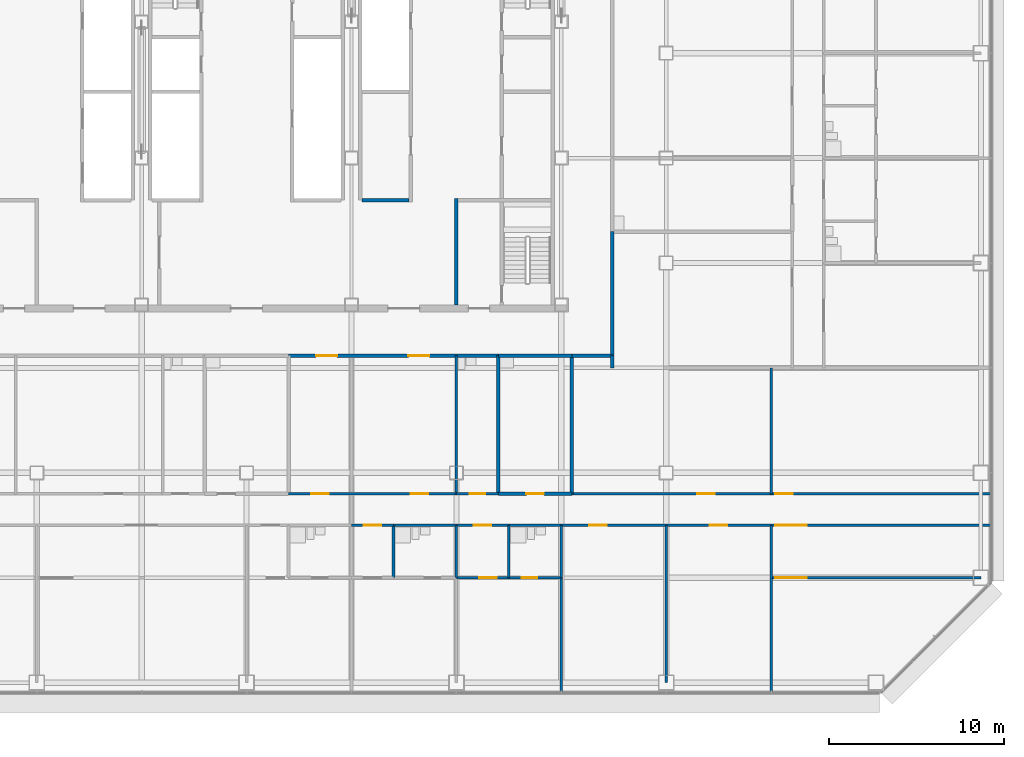
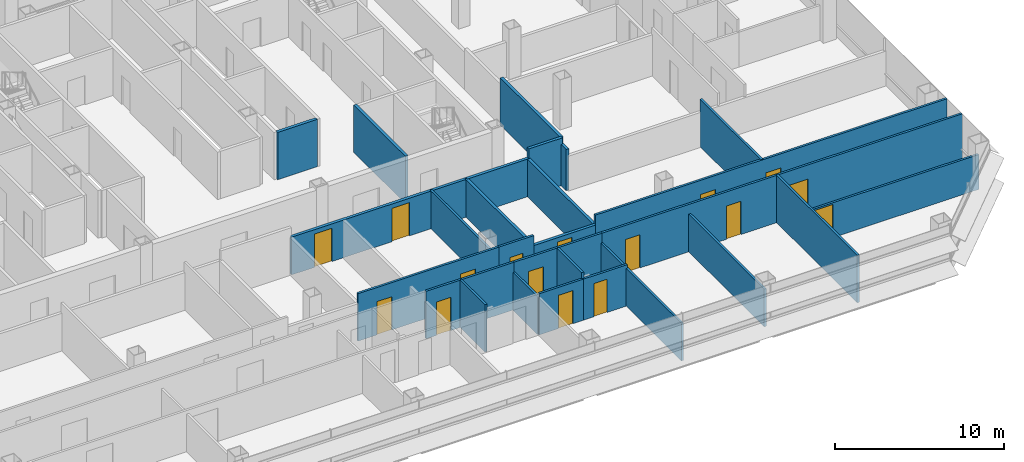
# One storey, part 21 of 26: 30 walls, 16 doors, 16 openings.
"""IFC4 building model written with IfcOpenShell, lengths in metres."""

import ifcopenshell
import ifcopenshell.guid

model = None  # the IFC model being written
_history = None  # IfcOwnerHistory: only IFC2X3 demands one
_inside = {}  # id of a spatial element -> (the spatial element, [elements in it])
_under = {}  # id of a project, library or spatial element -> (it, [spatial elements below it])
_declared = {}  # id of a project -> (the project, [libraries it declares])
_typed = {}  # id of a type object -> (the type object, [elements of that type])
_made_of = {}  # id of a material, layer set ... -> (it, [elements and type objects made of it])


def new_model(schema):
    """Start an empty IFC model of exactly this schema.

    Asked for "IFC4X3", IfcOpenShell would pick the latest addendum, in which some entities
    have other attributes; the version numbers below select the first issue.
    IFC2X3 requires an IfcOwnerHistory on every rooted entity: one is made here for all.
    """
    global model, _history
    if schema == "IFC4X3":
        model = ifcopenshell.file(schema_version=(4, 3, 0, 0))
    else:
        model = ifcopenshell.file(schema=schema)
    _inside.clear()
    _under.clear()
    _declared.clear()
    _typed.clear()
    _made_of.clear()
    _history = None
    if model.schema == "IFC2X3":
        org = make("IfcOrganization", Name="unknown")
        user = make(
            "IfcPersonAndOrganization",
            ThePerson=make("IfcPerson", FamilyName="unknown"),
            TheOrganization=org,
        )
        app = make(
            "IfcApplication",
            ApplicationDeveloper=org,
            Version="unknown",
            ApplicationFullName="unknown",
            ApplicationIdentifier="unknown",
        )
        _history = make(
            "IfcOwnerHistory",
            OwningUser=user,
            OwningApplication=app,
            ChangeAction="ADDED",
            CreationDate=0,
        )
    return model


def make(cls, **values):
    """One entity of the class cls with the attributes given. An attribute that is None is left unset."""
    return model.create_entity(
        cls, **{name: value for name, value in values.items() if value is not None}
    )


def rooted(cls, **values):
    """An entity with a GlobalId (a new one), such as an element, a storey or a relation."""
    return make(cls, GlobalId=ifcopenshell.guid.new(), OwnerHistory=_history, **values)


def si_unit(unit_type, name, prefix=None):
    """IfcSIUnit, for example si_unit("LENGTHUNIT", "METRE", prefix="MILLI")."""
    return make("IfcSIUnit", UnitType=unit_type, Prefix=prefix, Name=name)


def assignment(units):
    """IfcUnitAssignment: the units of a project."""
    return None if units is None else make("IfcUnitAssignment", Units=units)


def point(xyz):
    """IfcCartesianPoint."""
    return None if xyz is None else make("IfcCartesianPoint", Coordinates=xyz)


def direction(xyz):
    """IfcDirection."""
    return None if xyz is None else make("IfcDirection", DirectionRatios=xyz)


def frame(location, z_axis=None, x_axis=None):
    """IfcAxis2Placement3D, a coordinate frame: its origin and axes. An axis left out is left unset."""
    return make(
        "IfcAxis2Placement3D",
        Location=point(location),
        Axis=direction(z_axis),
        RefDirection=direction(x_axis),
    )


def frame_2d(location, x_axis=None):
    """IfcAxis2Placement2D, a coordinate frame in the plane: its origin and x axis."""
    return make(
        "IfcAxis2Placement2D", Location=point(location), RefDirection=direction(x_axis)
    )


def origin():
    """The frame at (0, 0, 0) with its axes left unset."""
    return frame((0.0, 0.0, 0.0))


def place(relative_to, where):
    """IfcLocalPlacement: puts the frame where relative to a parent placement (None: the world)."""
    return make(
        "IfcLocalPlacement", PlacementRelTo=relative_to, RelativePlacement=where
    )


def context(
    kind, dimensions, precision=None, world=None, true_north=None, identifier=None
):
    """IfcGeometricRepresentationContext, for example the 3D "Model" context."""
    return make(
        "IfcGeometricRepresentationContext",
        ContextIdentifier=identifier,
        ContextType=kind,
        CoordinateSpaceDimension=dimensions,
        Precision=precision,
        WorldCoordinateSystem=world,
        TrueNorth=true_north,
    )


def subcontext(parent, identifier, kind, view, scale=None):
    """IfcGeometricRepresentationSubContext, for example "Body" below "Model"."""
    return make(
        "IfcGeometricRepresentationSubContext",
        ContextIdentifier=identifier,
        ContextType=kind,
        ParentContext=parent,
        TargetScale=scale,
        TargetView=view,
    )


def project(units=None, contexts=None):
    """IfcProject with its units and contexts."""
    return rooted(
        "IfcProject",
        Name="project",
        RepresentationContexts=contexts,
        UnitsInContext=assignment(units),
    )


def spatial(cls, under=None, at=None, **own):
    """A site, building, storey or space (cls), placed at a placement, below another one or the project."""
    s = rooted(cls, ObjectPlacement=at, **own)
    if under is not None:
        _under.setdefault(under.id(), (under, []))[1].append(s)
    return s


def profile(cls, at=None, kind="AREA", **sizes):
    """A parametric profile (cls). Its sizes go by their IFC names, for example OverallWidth=200.0."""
    return make(cls, ProfileType=kind, Position=at, **sizes)


def rectangle(**sizes):
    """IfcRectangleProfileDef."""
    return profile("IfcRectangleProfileDef", **sizes)


def extrude(swept, where, along, depth):
    """IfcExtrudedAreaSolid: the profile swept, set in the frame where, extruded along a direction by depth."""
    return make(
        "IfcExtrudedAreaSolid",
        SweptArea=swept,
        Position=where,
        ExtrudedDirection=direction(along),
        Depth=depth,
    )


def shape(context_of_items, identifier, shape_type, items):
    """IfcShapeRepresentation: the items that make up one representation, for example the "Body"."""
    return make(
        "IfcShapeRepresentation",
        ContextOfItems=context_of_items,
        RepresentationIdentifier=identifier,
        RepresentationType=shape_type,
        Items=items,
    )


def material(Name=None, Category=None):
    """IfcMaterial."""
    return make("IfcMaterial", Name=Name, Category=Category)


def layer(
    of_material, thickness, ventilated=None, Name=None, Category=None, Priority=None
):
    """IfcMaterialLayer: one layer of a wall or slab, of a material (None: an air gap)."""
    return make(
        "IfcMaterialLayer",
        Material=of_material,
        LayerThickness=thickness,
        IsVentilated=ventilated,
        Name=Name,
        Category=Category,
        Priority=Priority,
    )


def layer_set(layers, Name=None):
    """IfcMaterialLayerSet."""
    return make("IfcMaterialLayerSet", MaterialLayers=layers, LayerSetName=Name)


def made_of(thing, what):
    """Note that an element or type object is made of a material, layer set ...; save() writes the relation."""
    if what is not None:
        _made_of.setdefault(what.id(), (what, []))[1].append(thing)
    return thing


def type_object(cls, material=None, **own):
    """A type object (cls), such as IfcWallType, which elements share."""
    return made_of(rooted(cls, **own), material)


def element(
    cls,
    number,
    at=None,
    inside=None,
    cuts=None,
    type_object=None,
    material=None,
    context=None,
    identifier="Body",
    shape_type=None,
    held_by="IfcProductDefinitionShape",
    body=None,
    shapes=None,
    **own,
):
    """One element of the class cls, such as IfcWall. Its Tag is "e" and its number.

    at: its placement. inside: the storey or other place that contains it. cuts: it is an
    opening in that element (IfcRelVoidsElement). A single representation is given by context,
    identifier, shape_type and body (its items); several are given by shapes. held_by: the class
    of the entity that holds the representations. save() writes the other relations.
    """
    e = rooted(cls, Tag="e%d" % number, ObjectPlacement=at, **own)
    if body is not None:
        shapes = [shape(context, identifier, shape_type, body)]
    if shapes is not None:
        e.Representation = make(held_by, Representations=shapes)
    if inside is not None:
        _inside.setdefault(inside.id(), (inside, []))[1].append(e)
    if cuts is not None:
        rooted(
            "IfcRelVoidsElement", RelatingBuildingElement=cuts, RelatedOpeningElement=e
        )
    if type_object is not None:
        _typed.setdefault(type_object.id(), (type_object, []))[1].append(e)
    return made_of(e, material)


def fill(opening, filler):
    """IfcRelFillsElement: the door or window that sits in an opening."""
    return rooted(
        "IfcRelFillsElement",
        RelatingOpeningElement=opening,
        RelatedBuildingElement=filler,
    )


def aggregate(whole, parts):
    """IfcRelAggregates: a whole, such as a stair, and the parts it consists of."""
    return rooted("IfcRelAggregates", RelatingObject=whole, RelatedObjects=parts)


def save(model, path):
    """Write the relations noted so far, then the file.

    IfcRelAggregates (storeys below a building ...), IfcRelContainedInSpatialStructure (elements
    in a storey), IfcRelDefinesByType, IfcRelAssociatesMaterial and IfcRelDeclares: one each for
    every whole, place, type object, material and project.
    """
    for whole, parts in _under.values():
        aggregate(whole, parts)
    for where, things in _inside.values():
        rooted(
            "IfcRelContainedInSpatialStructure",
            RelatedElements=things,
            RelatingStructure=where,
        )
    for kind, things in _typed.values():
        rooted("IfcRelDefinesByType", RelatedObjects=things, RelatingType=kind)
    for what, things in _made_of.values():
        rooted("IfcRelAssociatesMaterial", RelatedObjects=things, RelatingMaterial=what)
    for by, libraries in _declared.values():
        rooted("IfcRelDeclares", RelatingContext=by, RelatedDefinitions=libraries)
    model.write(path)


model = new_model("IFC4")

# Units and contexts
model_context = context("Model", 3, precision=1e-05, world=origin(), true_north=direction((0.0, 1.0)))
body_context = subcontext(model_context, "Body", "Model", "MODEL_VIEW")
ifc_project = project(units=[si_unit("LENGTHUNIT", "METRE"), si_unit("AREAUNIT", "SQUARE_METRE"), si_unit("VOLUMEUNIT", "CUBIC_METRE"), si_unit("PLANEANGLEUNIT", "RADIAN"), si_unit("MASSUNIT", "GRAM", prefix="KILO")], contexts=[model_context])

# Site, building, storey
site_placement = place(None, origin())
site = spatial("IfcSite", under=ifc_project, at=site_placement, CompositionType="ELEMENT")
building_placement = place(site_placement, origin())
building = spatial("IfcBuilding", under=site, at=building_placement, Name="Sorahane Residences", CompositionType="ELEMENT")
storey_placement = place(building_placement, frame((0.0, 0.0, 67.800048828125)))
storey = spatial("IfcBuildingStorey", under=building, at=storey_placement, Name="L13", CompositionType="ELEMENT", Elevation=67.800048828125)

# Wall
ifc_material_1 = material(Name="Concrete blockwork C20 wall", Category="masonry")
ifc_layer_1 = layer(ifc_material_1, 0.199951171875)
ifc_layer_set_1 = layer_set([ifc_layer_1], Name="Corridor wall 200 EI 120")
wall_type_1 = type_object("IfcWallType", Name="Corridor wall 200 EI 120", PredefinedType="SOLIDWALL", material=ifc_layer_set_1)
wall_1_placement = place(storey_placement, frame((44.89990234375, 18.699951171875, 0.0), z_axis=(0.0, 0.0, 1.0), x_axis=(0.0, 1.0, 0.0)))
element("IfcWall", 1, at=wall_1_placement, inside=storey, type_object=wall_type_1, Name="L13 corridor wall", PredefinedType="SOLIDWALL", context=body_context, shape_type="SweptSolid", body=[
    extrude(rectangle(XDim=7.10009765625, YDim=0.199951171875, at=frame_2d((3.550048828125, 0.0))), origin(), (0.0, 0.0, 1.0), 3.419921875),
])

# Wall, openings, doors
wall_2_placement = place(storey_placement, frame((26.39990234375, 18.699951171875, 0.0), z_axis=(0.0, 0.0, 1.0), x_axis=(1.0, 0.0, 0.0)))
wall_2 = element("IfcWall", 2, at=wall_2_placement, inside=storey, type_object=wall_type_1, Name="L13 corridor wall", PredefinedType="SOLIDWALL", context=body_context, shape_type="SweptSolid", body=[
    extrude(rectangle(XDim=12.0, YDim=0.199951171875, at=frame_2d((6.0, 0.0))), origin(), (0.0, 0.0, 1.0), 2.719970703125),
])
opening_1_placement = place(wall_2_placement, frame((1.580078125, 0.0, 0.0)))
opening_1 = element("IfcOpeningElement", 3, at=opening_1_placement, cuts=wall_2, Name="Opening L13-42", PredefinedType="OPENING", context=body_context, shape_type="SweptSolid", body=[
    extrude(rectangle(XDim=1.199951171875, YDim=2.39990234375, at=frame_2d((0.60009765625, 1.199951171875))), frame((0.0, 0.10986328125, 0.0), z_axis=(0.0, -1.0, 0.0), x_axis=(1.0, 0.0, 0.0)), (0.0, 0.0, 1.0), 0.219970703125),
])
opening_2_placement = place(wall_2_placement, frame((6.860107421875, 0.0, 0.0)))
opening_2 = element("IfcOpeningElement", 4, at=opening_2_placement, cuts=wall_2, Name="Opening L13-43", PredefinedType="OPENING", context=body_context, shape_type="SweptSolid", body=[
    extrude(rectangle(XDim=1.199951171875, YDim=2.39990234375, at=frame_2d((0.60009765625, 1.199951171875))), frame((0.0, 0.10986328125, 0.0), z_axis=(0.0, -1.0, 0.0), x_axis=(1.0, 0.0, 0.0)), (0.0, 0.0, 1.0), 0.219970703125),
])
ifc_material_2 = material(Name="Timber veneered fire door", Category="wood")
door_type_1 = type_object("IfcDoorType", Name="Flat entrance door 1200x2400 FD60", OperationType="NOTDEFINED", PredefinedType="DOOR", material=ifc_material_2)
door_1_placement = place(opening_1_placement, frame((1.199951171875, 0.0, 0.0), z_axis=(0.0, 0.0, 1.0), x_axis=(-1.0, 0.0, 0.0)))
door_1 = element("IfcDoor", 5, at=door_1_placement, inside=storey, type_object=door_type_1, Name="Flat entrance door L13-42", OperationType="SINGLE_SWING_LEFT", OverallHeight=2.39990234375, OverallWidth=1.199951171875, PredefinedType="DOOR", context=body_context, shape_type="SweptSolid", body=[
    extrude(rectangle(XDim=1.199951171875, YDim=2.39990234375, at=frame_2d((0.60009765625, 1.199951171875))), frame((0.0, 0.02490234375, 0.0), z_axis=(0.0, -1.0, 0.0), x_axis=(1.0, 0.0, 0.0)), (0.0, 0.0, 1.0), 0.050048828125),
])
fill(opening_1, door_1)
door_2_placement = place(opening_2_placement, frame((1.199951171875, 0.0, 0.0), z_axis=(0.0, 0.0, 1.0), x_axis=(-1.0, 0.0, 0.0)))
door_2 = element("IfcDoor", 6, at=door_2_placement, inside=storey, type_object=door_type_1, Name="Flat entrance door L13-43", OperationType="SINGLE_SWING_RIGHT", OverallHeight=2.39990234375, OverallWidth=1.199951171875, PredefinedType="DOOR", context=body_context, shape_type="SweptSolid", body=[
    extrude(rectangle(XDim=1.199951171875, YDim=2.39990234375, at=frame_2d((0.60009765625, 1.199951171875))), frame((0.0, 0.02490234375, 0.0), z_axis=(0.0, -1.0, 0.0), x_axis=(1.0, 0.0, 0.0)), (0.0, 0.0, 1.0), 0.050048828125),
])
fill(opening_2, door_2)

# Walls
wall_3_placement = place(storey_placement, frame((42.60009765625, 18.699951171875, 0.0), z_axis=(0.0, 0.0, 1.0), x_axis=(1.0, 0.0, 0.0)))
element("IfcWall", 7, at=wall_3_placement, inside=storey, type_object=wall_type_1, Name="L13 corridor wall", PredefinedType="SOLIDWALL", context=body_context, shape_type="SweptSolid", body=[
    extrude(rectangle(XDim=2.2998046875, YDim=0.199951171875, at=frame_2d((1.14990234375, 0.0))), origin(), (0.0, 0.0, 1.0), 3.419921875),
])
ifc_material_3 = material(Name="Concrete C30", Category="concrete")
ifc_layer_2 = layer(ifc_material_3, 0.199951171875)
ifc_layer_set_2 = layer_set([ifc_layer_2], Name="Front room wall 200 EI 120")
wall_type_2 = type_object("IfcWallType", Name="Front room wall 200 EI 120", PredefinedType="PARTITIONING", material=ifc_layer_set_2)
wall_4_placement = place(storey_placement, frame((36.0, 21.60009765625, 0.0), z_axis=(0.0, 0.0, 1.0), x_axis=(0.0, 1.0, 0.0)))
element("IfcWall", 8, at=wall_4_placement, inside=storey, type_object=wall_type_2, Name="L13 front room wall", PredefinedType="PARTITIONING", context=body_context, shape_type="SweptSolid", body=[
    extrude(rectangle(XDim=6.099853515625, YDim=0.199951171875, at=frame_2d((3.0498046875, 0.0))), origin(), (0.0, 0.0, 1.0), 3.419921875),
])
ifc_material_4 = material(Name="Concrete blockwork C20 wall", Category="masonry")
ifc_layer_3 = layer(ifc_material_4, 0.199951171875)
ifc_layer_set_3 = layer_set([ifc_layer_3], Name="Kitchen wall 200 EI 180")
wall_type_3 = type_object("IfcWallType", Name="Kitchen wall 200 EI 180", PredefinedType="SOLIDWALL", material=ifc_layer_set_3)
for number, where, z_axis, x_axis, name in (
    (9, (38.39990234375, 10.800048828125, 0.0), (0.0, 0.0, 1.0), (0.0, 1.0, 0.0), "L13 kitchen wall"),
    (10, (42.60009765625, 10.800048828125, 0.0), (0.0, 0.0, 1.0), (0.0, 1.0, 0.0), "L13 kitchen wall"),
):
    element("IfcWall", number, at=place(storey_placement, frame(where, z_axis=z_axis, x_axis=x_axis)), inside=storey, type_object=wall_type_3, Name=name, PredefinedType="SOLIDWALL", context=body_context, shape_type="SweptSolid", body=[
        extrude(rectangle(XDim=7.89990234375, YDim=0.199951171875, at=frame_2d((3.949951171875, 0.0))), origin(), (0.0, 0.0, 1.0), 2.719970703125),
    ])

# Wall, opening, door
wall_5_placement = place(storey_placement, frame((38.39990234375, 10.800048828125, 0.0), z_axis=(0.0, 0.0, 1.0), x_axis=(1.0, 0.0, 0.0)))
wall_5 = element("IfcWall", 11, at=wall_5_placement, inside=storey, type_object=wall_type_3, Name="L13 kitchen wall", PredefinedType="SOLIDWALL", context=body_context, shape_type="SweptSolid", body=[
    extrude(rectangle(XDim=4.2001953125, YDim=0.199951171875, at=frame_2d((2.10009765625, 0.0))), origin(), (0.0, 0.0, 1.0), 2.719970703125),
])
opening_3_placement = place(wall_5_placement, frame((1.60009765625, 0.0, 0.0)))
opening_3 = element("IfcOpeningElement", 12, at=opening_3_placement, cuts=wall_5, Name="Opening L13-15", PredefinedType="OPENING", context=body_context, shape_type="SweptSolid", body=[
    extrude(rectangle(XDim=1.0, YDim=2.39990234375, at=frame_2d((0.5, 1.199951171875))), frame((0.0, 0.10986328125, 0.0), z_axis=(0.0, -1.0, 0.0), x_axis=(1.0, 0.0, 0.0)), (0.0, 0.0, 1.0), 0.219970703125),
])
ifc_material_5 = material(Name="Steel", Category="steel")
door_type_2 = type_object("IfcDoorType", Name="Kitchen door 1000x2400 FD120", OperationType="NOTDEFINED", PredefinedType="DOOR", material=ifc_material_5)
door_3_placement = place(opening_3_placement, origin())
door_3 = element("IfcDoor", 13, at=door_3_placement, inside=storey, type_object=door_type_2, Name="Kitchen door L13-15", OperationType="SINGLE_SWING_RIGHT", OverallHeight=2.39990234375, OverallWidth=1.0, PredefinedType="DOOR", context=body_context, shape_type="SweptSolid", body=[
    extrude(rectangle(XDim=1.0, YDim=2.39990234375, at=frame_2d((0.5, 1.199951171875))), frame((0.0, 0.02490234375, 0.0), z_axis=(0.0, -1.0, 0.0), x_axis=(1.0, 0.0, 0.0)), (0.0, 0.0, 1.0), 0.050048828125),
])
fill(opening_3, door_3)

# Walls
wall_6_placement = place(storey_placement, frame((38.39990234375, 18.699951171875, 0.0), z_axis=(0.0, 0.0, 1.0), x_axis=(1.0, 0.0, 0.0)))
element("IfcWall", 14, at=wall_6_placement, inside=storey, type_object=wall_type_3, Name="L13 kitchen wall", PredefinedType="SOLIDWALL", context=body_context, shape_type="SweptSolid", body=[
    extrude(rectangle(XDim=4.2001953125, YDim=0.199951171875, at=frame_2d((2.10009765625, 0.0))), origin(), (0.0, 0.0, 1.0), 2.719970703125),
])
ifc_material_6 = material(Name="Gypsum board partition on steel studs", Category="steel")
ifc_layer_4 = layer(ifc_material_6, 0.14990234375)
ifc_layer_set_4 = layer_set([ifc_layer_4], Name="Partition 150 EI 90")
wall_type_4 = type_object("IfcWallType", Name="Partition 150 EI 90", PredefinedType="PARTITIONING", material=ifc_layer_set_4)
wall_7_placement = place(storey_placement, frame((42.0, -0.60009765625, 0.0), z_axis=(0.0, 0.0, 1.0), x_axis=(0.0, 1.0, 0.0)))
element("IfcWall", 15, at=wall_7_placement, inside=storey, type_object=wall_type_4, Name="L13 partition", PredefinedType="PARTITIONING", context=body_context, shape_type="SweptSolid", body=[
    extrude(rectangle(XDim=6.60009765625, YDim=0.14990234375, at=frame_2d((3.300048828125, 0.0))), origin(), (0.0, 0.0, 1.0), 2.719970703125),
])
wall_8_placement = place(storey_placement, frame((48.0, 0.0, 0.0), z_axis=(0.0, 0.0, 1.0), x_axis=(0.0, 1.0, 0.0)))
element("IfcWall", 16, at=wall_8_placement, inside=storey, type_object=wall_type_4, Name="L13 partition", PredefinedType="PARTITIONING", context=body_context, shape_type="SweptSolid", body=[
    extrude(rectangle(XDim=9.0, YDim=0.14990234375, at=frame_2d((4.5, 0.0))), origin(), (0.0, 0.0, 1.0), 2.719970703125),
])
wall_9_placement = place(storey_placement, frame((54.0, -0.60009765625, 0.0), z_axis=(0.0, 0.0, 1.0), x_axis=(0.0, 1.0, 0.0)))
element("IfcWall", 17, at=wall_9_placement, inside=storey, type_object=wall_type_4, Name="L13 partition", PredefinedType="PARTITIONING", context=body_context, shape_type="SweptSolid", body=[
    extrude(rectangle(XDim=9.60009765625, YDim=0.14990234375, at=frame_2d((4.800048828125, 0.0))), origin(), (0.0, 0.0, 1.0), 3.419921875),
])
wall_10_placement = place(storey_placement, frame((54.0, 10.800048828125, 0.0), z_axis=(0.0, 0.0, 1.0), x_axis=(0.0, 1.0, 0.0)))
element("IfcWall", 18, at=wall_10_placement, inside=storey, type_object=wall_type_4, Name="L13 partition", PredefinedType="PARTITIONING", context=body_context, shape_type="SweptSolid", body=[
    extrude(rectangle(XDim=7.199951171875, YDim=0.14990234375, at=frame_2d((3.60009765625, 0.0))), origin(), (0.0, 0.0, 1.0), 3.419921875),
])

# Wall, openings, doors
wall_11_placement = place(storey_placement, frame((26.39990234375, 10.800048828125, 0.0), z_axis=(0.0, 0.0, 1.0), x_axis=(1.0, 0.0, 0.0)))
wall_11 = element("IfcWall", 19, at=wall_11_placement, inside=storey, type_object=wall_type_4, Name="L13 partition", PredefinedType="PARTITIONING", context=body_context, shape_type="SweptSolid", body=[
    extrude(rectangle(XDim=9.60009765625, YDim=0.14990234375, at=frame_2d((4.800048828125, 0.0))), origin(), (0.0, 0.0, 1.0), 3.419921875),
])
opening_4_placement = place(wall_11_placement, frame((1.300048828125, 0.0, 0.0)))
opening_4 = element("IfcOpeningElement", 20, at=opening_4_placement, cuts=wall_11, Name="Opening L13-01", PredefinedType="OPENING", context=body_context, shape_type="SweptSolid", body=[
    extrude(rectangle(XDim=1.0, YDim=2.39990234375, at=frame_2d((0.5, 1.199951171875))), frame((0.0, 0.0849609375, 0.0), z_axis=(0.0, -1.0, 0.0), x_axis=(1.0, 0.0, 0.0)), (0.0, 0.0, 1.0), 0.169921875),
])
opening_5_placement = place(wall_11_placement, frame((7.0, 0.0, 0.0)))
opening_5 = element("IfcOpeningElement", 21, at=opening_5_placement, cuts=wall_11, Name="Opening L13-13", PredefinedType="OPENING", context=body_context, shape_type="SweptSolid", body=[
    extrude(rectangle(XDim=1.0, YDim=2.39990234375, at=frame_2d((0.5, 1.199951171875))), frame((0.0, 0.0849609375, 0.0), z_axis=(0.0, -1.0, 0.0), x_axis=(1.0, 0.0, 0.0)), (0.0, 0.0, 1.0), 0.169921875),
])
ifc_material_7 = material(Name="Timber veneered fire door", Category="wood")
door_type_3 = type_object("IfcDoorType", Name="Room door 1000x2400 FD30", OperationType="NOTDEFINED", PredefinedType="DOOR", material=ifc_material_7)
door_4_placement = place(opening_4_placement, frame((1.0, 0.0, 0.0), z_axis=(0.0, 0.0, 1.0), x_axis=(-1.0, 0.0, 0.0)))
door_4 = element("IfcDoor", 22, at=door_4_placement, inside=storey, type_object=door_type_3, Name="Room door L13-01", OperationType="SINGLE_SWING_RIGHT", OverallHeight=2.39990234375, OverallWidth=1.0, PredefinedType="DOOR", context=body_context, shape_type="SweptSolid", body=[
    extrude(rectangle(XDim=1.0, YDim=2.39990234375, at=frame_2d((0.5, 1.199951171875))), frame((0.0, 0.02490234375, 0.0), z_axis=(0.0, -1.0, 0.0), x_axis=(1.0, 0.0, 0.0)), (0.0, 0.0, 1.0), 0.050048828125),
])
fill(opening_4, door_4)
door_5_placement = place(opening_5_placement, frame((1.0, 0.0, 0.0), z_axis=(0.0, 0.0, 1.0), x_axis=(-1.0, 0.0, 0.0)))
door_5 = element("IfcDoor", 23, at=door_5_placement, inside=storey, type_object=door_type_3, Name="Room door L13-13", OperationType="SINGLE_SWING_RIGHT", OverallHeight=2.39990234375, OverallWidth=1.0, PredefinedType="DOOR", context=body_context, shape_type="SweptSolid", body=[
    extrude(rectangle(XDim=1.0, YDim=2.39990234375, at=frame_2d((0.5, 1.199951171875))), frame((0.0, 0.02490234375, 0.0), z_axis=(0.0, -1.0, 0.0), x_axis=(1.0, 0.0, 0.0)), (0.0, 0.0, 1.0), 0.050048828125),
])
fill(opening_5, door_5)

wall_12_placement = place(storey_placement, frame((42.60009765625, 10.800048828125, 0.0), z_axis=(0.0, 0.0, 1.0), x_axis=(1.0, 0.0, 0.0)))
wall_12 = element("IfcWall", 24, at=wall_12_placement, inside=storey, type_object=wall_type_4, Name="L13 partition", PredefinedType="PARTITIONING", context=body_context, shape_type="SweptSolid", body=[
    extrude(rectangle(XDim=24.0, YDim=0.14990234375, at=frame_2d((12.0, 0.0))), origin(), (0.0, 0.0, 1.0), 3.419921875),
])
opening_6_placement = place(wall_12_placement, frame((7.179931640625, 0.0, 0.0)))
opening_6 = element("IfcOpeningElement", 25, at=opening_6_placement, cuts=wall_12, Name="Opening L13-16", PredefinedType="OPENING", context=body_context, shape_type="SweptSolid", body=[
    extrude(rectangle(XDim=1.0, YDim=2.39990234375, at=frame_2d((0.5, 1.199951171875))), frame((0.0, 0.0849609375, 0.0), z_axis=(0.0, -1.0, 0.0), x_axis=(1.0, 0.0, 0.0)), (0.0, 0.0, 1.0), 0.169921875),
])
opening_7_placement = place(wall_12_placement, frame((11.64990234375, 0.0, 0.0)))
opening_7 = element("IfcOpeningElement", 26, at=opening_7_placement, cuts=wall_12, Name="Opening L13-17", PredefinedType="OPENING", context=body_context, shape_type="SweptSolid", body=[
    extrude(rectangle(XDim=1.0, YDim=2.39990234375, at=frame_2d((0.5, 1.199951171875))), frame((0.0, 0.0849609375, 0.0), z_axis=(0.0, -1.0, 0.0), x_axis=(1.0, 0.0, 0.0)), (0.0, 0.0, 1.0), 0.169921875),
])
door_6_placement = place(opening_6_placement, origin())
door_6 = element("IfcDoor", 27, at=door_6_placement, inside=storey, type_object=door_type_3, Name="Room door L13-16", OperationType="SINGLE_SWING_LEFT", OverallHeight=2.39990234375, OverallWidth=1.0, PredefinedType="DOOR", context=body_context, shape_type="SweptSolid", body=[
    extrude(rectangle(XDim=1.0, YDim=2.39990234375, at=frame_2d((0.5, 1.199951171875))), frame((0.0, 0.02490234375, 0.0), z_axis=(0.0, -1.0, 0.0), x_axis=(1.0, 0.0, 0.0)), (0.0, 0.0, 1.0), 0.050048828125),
])
fill(opening_6, door_6)
door_7_placement = place(opening_7_placement, origin())
door_7 = element("IfcDoor", 28, at=door_7_placement, inside=storey, type_object=door_type_3, Name="Room door L13-17", OperationType="SINGLE_SWING_LEFT", OverallHeight=2.39990234375, OverallWidth=1.0, PredefinedType="DOOR", context=body_context, shape_type="SweptSolid", body=[
    extrude(rectangle(XDim=1.0, YDim=2.39990234375, at=frame_2d((0.5, 1.199951171875))), frame((0.0, 0.02490234375, 0.0), z_axis=(0.0, -1.0, 0.0), x_axis=(1.0, 0.0, 0.0)), (0.0, 0.0, 1.0), 0.050048828125),
])
fill(opening_7, door_7)

# Wall, opening, door
wall_13_placement = place(storey_placement, frame((36.0, 6.0, 0.0), z_axis=(0.0, 0.0, 1.0), x_axis=(1.0, 0.0, 0.0)))
wall_13 = element("IfcWall", 29, at=wall_13_placement, inside=storey, type_object=wall_type_4, Name="L13 partition", PredefinedType="PARTITIONING", context=body_context, shape_type="SweptSolid", body=[
    extrude(rectangle(XDim=3.0, YDim=0.14990234375, at=frame_2d((1.5, 0.0))), origin(), (0.0, 0.0, 1.0), 2.969970703125),
])
opening_8_placement = place(wall_13_placement, frame((1.300048828125, 0.0, 0.0)))
opening_8 = element("IfcOpeningElement", 30, at=opening_8_placement, cuts=wall_13, Name="Opening L13-25", PredefinedType="OPENING", context=body_context, shape_type="SweptSolid", body=[
    extrude(rectangle(XDim=1.0, YDim=2.39990234375, at=frame_2d((0.5, 1.199951171875))), frame((0.0, 0.0849609375, 0.0), z_axis=(0.0, -1.0, 0.0), x_axis=(1.0, 0.0, 0.0)), (0.0, 0.0, 1.0), 0.169921875),
])
door_8_placement = place(opening_8_placement, frame((1.0, 0.0, 0.0), z_axis=(0.0, 0.0, 1.0), x_axis=(-1.0, 0.0, 0.0)))
door_8 = element("IfcDoor", 31, at=door_8_placement, inside=storey, type_object=door_type_3, Name="Room door L13-25", OperationType="SINGLE_SWING_LEFT", OverallHeight=2.39990234375, OverallWidth=1.0, PredefinedType="DOOR", context=body_context, shape_type="SweptSolid", body=[
    extrude(rectangle(XDim=1.0, YDim=2.39990234375, at=frame_2d((0.5, 1.199951171875))), frame((0.0, 0.02490234375, 0.0), z_axis=(0.0, -1.0, 0.0), x_axis=(1.0, 0.0, 0.0)), (0.0, 0.0, 1.0), 0.050048828125),
])
fill(opening_8, door_8)

wall_14_placement = place(storey_placement, frame((54.0, 6.0, 0.0), z_axis=(0.0, 0.0, 1.0), x_axis=(1.0, 0.0, 0.0)))
wall_14 = element("IfcWall", 32, at=wall_14_placement, inside=storey, type_object=wall_type_4, Name="L13 partition", PredefinedType="PARTITIONING", context=body_context, shape_type="SweptSolid", body=[
    extrude(rectangle(XDim=12.0, YDim=0.14990234375, at=frame_2d((6.0, 0.0))), origin(), (0.0, 0.0, 1.0), 2.52001953125),
])
opening_9_placement = place(wall_14_placement, frame((0.25, 0.0, 0.0)))
opening_9 = element("IfcOpeningElement", 33, at=opening_9_placement, cuts=wall_14, Name="Opening L13-27", PredefinedType="OPENING", context=body_context, shape_type="SweptSolid", body=[
    extrude(rectangle(XDim=1.800048828125, YDim=2.39990234375, at=frame_2d((0.89990234375, 1.199951171875))), frame((0.0, 0.0849609375, 0.0), z_axis=(0.0, -1.0, 0.0), x_axis=(1.0, 0.0, 0.0)), (0.0, 0.0, 1.0), 0.169921875),
])
ifc_material_8 = material(Name="Timber veneered fire door", Category="wood")
door_type_4 = type_object("IfcDoorType", Name="Double door 1800x2400 FD30", OperationType="NOTDEFINED", PredefinedType="DOOR", material=ifc_material_8)
door_9_placement = place(opening_9_placement, frame((1.800048828125, 0.0, 0.0), z_axis=(0.0, 0.0, 1.0), x_axis=(-1.0, 0.0, 0.0)))
door_9 = element("IfcDoor", 34, at=door_9_placement, inside=storey, type_object=door_type_4, Name="Double door L13-27", OperationType="SINGLE_SWING_RIGHT", OverallHeight=2.39990234375, OverallWidth=1.800048828125, PredefinedType="DOOR", context=body_context, shape_type="SweptSolid", body=[
    extrude(rectangle(XDim=1.800048828125, YDim=2.39990234375, at=frame_2d((0.89990234375, 1.199951171875))), frame((0.0, 0.02490234375, 0.0), z_axis=(0.0, -1.0, 0.0), x_axis=(1.0, 0.0, 0.0)), (0.0, 0.0, 1.0), 0.050048828125),
])
fill(opening_9, door_9)

wall_15_placement = place(storey_placement, frame((30.0, 9.0, 0.0), z_axis=(0.0, 0.0, 1.0), x_axis=(1.0, 0.0, 0.0)))
wall_15 = element("IfcWall", 35, at=wall_15_placement, inside=storey, type_object=wall_type_4, Name="L13 partition", PredefinedType="PARTITIONING", context=body_context, shape_type="SweptSolid", body=[
    extrude(rectangle(XDim=2.39990234375, YDim=0.14990234375, at=frame_2d((1.199951171875, 0.0))), origin(), (0.0, 0.0, 1.0), 3.419921875),
])
opening_10_placement = place(wall_15_placement, frame((0.699951171875, 0.0, 0.0)))
opening_10 = element("IfcOpeningElement", 36, at=opening_10_placement, cuts=wall_15, Name="Opening L13-18", PredefinedType="OPENING", context=body_context, shape_type="SweptSolid", body=[
    extrude(rectangle(XDim=1.0, YDim=2.39990234375, at=frame_2d((0.5, 1.199951171875))), frame((0.0, 0.0849609375, 0.0), z_axis=(0.0, -1.0, 0.0), x_axis=(1.0, 0.0, 0.0)), (0.0, 0.0, 1.0), 0.169921875),
])
door_10_placement = place(opening_10_placement, frame((1.0, 0.0, 0.0), z_axis=(0.0, 0.0, 1.0), x_axis=(-1.0, 0.0, 0.0)))
door_10 = element("IfcDoor", 37, at=door_10_placement, inside=storey, type_object=door_type_3, Name="Room door L13-18", OperationType="SINGLE_SWING_LEFT", OverallHeight=2.39990234375, OverallWidth=1.0, PredefinedType="DOOR", context=body_context, shape_type="SweptSolid", body=[
    extrude(rectangle(XDim=1.0, YDim=2.39990234375, at=frame_2d((0.5, 1.199951171875))), frame((0.0, 0.02490234375, 0.0), z_axis=(0.0, -1.0, 0.0), x_axis=(1.0, 0.0, 0.0)), (0.0, 0.0, 1.0), 0.050048828125),
])
fill(opening_10, door_10)

wall_16_placement = place(storey_placement, frame((36.0, 9.0, 0.0), z_axis=(0.0, 0.0, 1.0), x_axis=(1.0, 0.0, 0.0)))
wall_16 = element("IfcWall", 38, at=wall_16_placement, inside=storey, type_object=wall_type_4, Name="L13 partition", PredefinedType="PARTITIONING", context=body_context, shape_type="SweptSolid", body=[
    extrude(rectangle(XDim=3.0, YDim=0.14990234375, at=frame_2d((1.5, 0.0))), origin(), (0.0, 0.0, 1.0), 3.419921875),
])
opening_11_placement = place(wall_16_placement, frame((1.0, 0.0, 0.0)))
opening_11 = element("IfcOpeningElement", 39, at=opening_11_placement, cuts=wall_16, Name="Opening L13-19", PredefinedType="OPENING", context=body_context, shape_type="SweptSolid", body=[
    extrude(rectangle(XDim=1.0, YDim=2.39990234375, at=frame_2d((0.5, 1.199951171875))), frame((0.0, 0.0849609375, 0.0), z_axis=(0.0, -1.0, 0.0), x_axis=(1.0, 0.0, 0.0)), (0.0, 0.0, 1.0), 0.169921875),
])
door_11_placement = place(opening_11_placement, frame((1.0, 0.0, 0.0), z_axis=(0.0, 0.0, 1.0), x_axis=(-1.0, 0.0, 0.0)))
door_11 = element("IfcDoor", 40, at=door_11_placement, inside=storey, type_object=door_type_3, Name="Room door L13-19", OperationType="SINGLE_SWING_RIGHT", OverallHeight=2.39990234375, OverallWidth=1.0, PredefinedType="DOOR", context=body_context, shape_type="SweptSolid", body=[
    extrude(rectangle(XDim=1.0, YDim=2.39990234375, at=frame_2d((0.5, 1.199951171875))), frame((0.0, 0.02490234375, 0.0), z_axis=(0.0, -1.0, 0.0), x_axis=(1.0, 0.0, 0.0)), (0.0, 0.0, 1.0), 0.050048828125),
])
fill(opening_11, door_11)

# Wall, openings, doors
wall_17_placement = place(storey_placement, frame((42.0, 9.0, 0.0), z_axis=(0.0, 0.0, 1.0), x_axis=(1.0, 0.0, 0.0)))
wall_17 = element("IfcWall", 41, at=wall_17_placement, inside=storey, type_object=wall_type_4, Name="L13 partition", PredefinedType="PARTITIONING", context=body_context, shape_type="SweptSolid", body=[
    extrude(rectangle(XDim=24.60009765625, YDim=0.14990234375, at=frame_2d((12.300048828125, 0.0))), origin(), (0.0, 0.0, 1.0), 3.419921875),
])
opening_12_placement = place(wall_17_placement, frame((1.60009765625, 0.0, 0.0)))
opening_12 = element("IfcOpeningElement", 42, at=opening_12_placement, cuts=wall_17, Name="Opening L13-20", PredefinedType="OPENING", context=body_context, shape_type="SweptSolid", body=[
    extrude(rectangle(XDim=1.0, YDim=2.39990234375, at=frame_2d((0.5, 1.199951171875))), frame((0.0, 0.0849609375, 0.0), z_axis=(0.0, -1.0, 0.0), x_axis=(1.0, 0.0, 0.0)), (0.0, 0.0, 1.0), 0.169921875),
])
opening_13_placement = place(wall_17_placement, frame((8.5, 0.0, 0.0)))
opening_13 = element("IfcOpeningElement", 43, at=opening_13_placement, cuts=wall_17, Name="Opening L13-21", PredefinedType="OPENING", context=body_context, shape_type="SweptSolid", body=[
    extrude(rectangle(XDim=1.0, YDim=2.39990234375, at=frame_2d((0.5, 1.199951171875))), frame((0.0, 0.0849609375, 0.0), z_axis=(0.0, -1.0, 0.0), x_axis=(1.0, 0.0, 0.0)), (0.0, 0.0, 1.0), 0.169921875),
])
opening_14_placement = place(wall_17_placement, frame((12.25, 0.0, 0.0)))
opening_14 = element("IfcOpeningElement", 44, at=opening_14_placement, cuts=wall_17, Name="Opening L13-22", PredefinedType="OPENING", context=body_context, shape_type="SweptSolid", body=[
    extrude(rectangle(XDim=1.800048828125, YDim=2.39990234375, at=frame_2d((0.89990234375, 1.199951171875))), frame((0.0, 0.0849609375, 0.0), z_axis=(0.0, -1.0, 0.0), x_axis=(1.0, 0.0, 0.0)), (0.0, 0.0, 1.0), 0.169921875),
])
door_12_placement = place(opening_14_placement, frame((1.800048828125, 0.0, 0.0), z_axis=(0.0, 0.0, 1.0), x_axis=(-1.0, 0.0, 0.0)))
door_12 = element("IfcDoor", 45, at=door_12_placement, inside=storey, type_object=door_type_4, Name="Double door L13-22", OperationType="SINGLE_SWING_RIGHT", OverallHeight=2.39990234375, OverallWidth=1.800048828125, PredefinedType="DOOR", context=body_context, shape_type="SweptSolid", body=[
    extrude(rectangle(XDim=1.800048828125, YDim=2.39990234375, at=frame_2d((0.89990234375, 1.199951171875))), frame((0.0, 0.02490234375, 0.0), z_axis=(0.0, -1.0, 0.0), x_axis=(1.0, 0.0, 0.0)), (0.0, 0.0, 1.0), 0.050048828125),
])
fill(opening_14, door_12)
door_13_placement = place(opening_12_placement, frame((1.0, 0.0, 0.0), z_axis=(0.0, 0.0, 1.0), x_axis=(-1.0, 0.0, 0.0)))
door_13 = element("IfcDoor", 46, at=door_13_placement, inside=storey, type_object=door_type_3, Name="Room door L13-20", OperationType="SINGLE_SWING_LEFT", OverallHeight=2.39990234375, OverallWidth=1.0, PredefinedType="DOOR", context=body_context, shape_type="SweptSolid", body=[
    extrude(rectangle(XDim=1.0, YDim=2.39990234375, at=frame_2d((0.5, 1.199951171875))), frame((0.0, 0.02490234375, 0.0), z_axis=(0.0, -1.0, 0.0), x_axis=(1.0, 0.0, 0.0)), (0.0, 0.0, 1.0), 0.050048828125),
])
fill(opening_12, door_13)
door_14_placement = place(opening_13_placement, frame((1.0, 0.0, 0.0), z_axis=(0.0, 0.0, 1.0), x_axis=(-1.0, 0.0, 0.0)))
door_14 = element("IfcDoor", 47, at=door_14_placement, inside=storey, type_object=door_type_3, Name="Room door L13-21", OperationType="SINGLE_SWING_RIGHT", OverallHeight=2.39990234375, OverallWidth=1.0, PredefinedType="DOOR", context=body_context, shape_type="SweptSolid", body=[
    extrude(rectangle(XDim=1.0, YDim=2.39990234375, at=frame_2d((0.5, 1.199951171875))), frame((0.0, 0.02490234375, 0.0), z_axis=(0.0, -1.0, 0.0), x_axis=(1.0, 0.0, 0.0)), (0.0, 0.0, 1.0), 0.050048828125),
])
fill(opening_13, door_14)

# Walls
ifc_material_9 = material(Name="Concrete blockwork C20 wall", Category="masonry")
ifc_layer_5 = layer(ifc_material_9, 0.199951171875)
ifc_layer_set_5 = layer_set([ifc_layer_5], Name="Party wall 200 EI 120")
wall_type_5 = type_object("IfcWallType", Name="Party wall 200 EI 120", PredefinedType="SOLIDWALL", material=ifc_layer_set_5)
wall_18_placement = place(storey_placement, frame((44.89990234375, 18.0, 0.0), z_axis=(0.0, 0.0, 1.0), x_axis=(0.0, 1.0, 0.0)))
element("IfcWall", 48, at=wall_18_placement, inside=storey, type_object=wall_type_5, Name="L13 party wall", PredefinedType="SOLIDWALL", context=body_context, shape_type="SweptSolid", body=[
    extrude(rectangle(XDim=0.699951171875, YDim=0.199951171875, at=frame_2d((0.35009765625, 0.0))), origin(), (0.0, 0.0, 1.0), 2.969970703125),
])
ifc_material_10 = material(Name="Concrete C30", Category="concrete")
ifc_layer_6 = layer(ifc_material_10, 0.199951171875)
ifc_layer_set_6 = layer_set([ifc_layer_6], Name="Service room partition 200 EI 60")
wall_type_6 = type_object("IfcWallType", Name="Service room partition 200 EI 60", PredefinedType="PARTITIONING", material=ifc_layer_set_6)
wall_19_placement = place(storey_placement, frame((30.60009765625, 27.60009765625, 0.0), z_axis=(0.0, 0.0, 1.0), x_axis=(1.0, 0.0, 0.0)))
element("IfcWall", 49, at=wall_19_placement, inside=storey, type_object=wall_type_6, Name="L13 service room wall", PredefinedType="PARTITIONING", context=body_context, shape_type="SweptSolid", body=[
    extrude(rectangle(XDim=2.699951171875, YDim=0.199951171875, at=frame_2d((1.35009765625, 0.0))), origin(), (0.0, 0.0, 1.0), 3.419921875),
])
ifc_material_11 = material(Name="Gypsum board partition on steel studs", Category="steel")
ifc_layer_7 = layer(ifc_material_11, 0.14990234375)
ifc_layer_set_7 = layer_set([ifc_layer_7], Name="Wet wall 150 EI 90")
wall_type_7 = type_object("IfcWallType", Name="Wet wall 150 EI 90", PredefinedType="PARTITIONING", material=ifc_layer_set_7)
wall_20_placement = place(storey_placement, frame((32.39990234375, 6.0, 0.0), z_axis=(0.0, 0.0, 1.0), x_axis=(0.0, 1.0, 0.0)))
element("IfcWall", 50, at=wall_20_placement, inside=storey, type_object=wall_type_7, Name="L13 wet wall", PredefinedType="PARTITIONING", context=body_context, shape_type="SweptSolid", body=[
    extrude(rectangle(XDim=3.0, YDim=0.14990234375, at=frame_2d((1.5, 0.0))), origin(), (0.0, 0.0, 1.0), 3.419921875),
])
wall_21_placement = place(storey_placement, frame((36.0, 6.0, 0.0), z_axis=(0.0, 0.0, 1.0), x_axis=(0.0, 1.0, 0.0)))
element("IfcWall", 51, at=wall_21_placement, inside=storey, type_object=wall_type_7, Name="L13 wet wall", PredefinedType="PARTITIONING", context=body_context, shape_type="SweptSolid", body=[
    extrude(rectangle(XDim=3.0, YDim=0.14990234375, at=frame_2d((1.5, 0.0))), origin(), (0.0, 0.0, 1.0), 2.719970703125),
])
wall_22_placement = place(storey_placement, frame((36.0, 10.800048828125, 0.0), z_axis=(0.0, 0.0, 1.0), x_axis=(0.0, 1.0, 0.0)))
element("IfcWall", 52, at=wall_22_placement, inside=storey, type_object=wall_type_7, Name="L13 wet wall", PredefinedType="PARTITIONING", context=body_context, shape_type="SweptSolid", body=[
    extrude(rectangle(XDim=7.89990234375, YDim=0.14990234375, at=frame_2d((3.949951171875, 0.0))), origin(), (0.0, 0.0, 1.0), 2.719970703125),
])
wall_23_placement = place(storey_placement, frame((39.0, 6.0, 0.0), z_axis=(0.0, 0.0, 1.0), x_axis=(0.0, 1.0, 0.0)))
element("IfcWall", 53, at=wall_23_placement, inside=storey, type_object=wall_type_7, Name="L13 wet wall", PredefinedType="PARTITIONING", context=body_context, shape_type="SweptSolid", body=[
    extrude(rectangle(XDim=3.0, YDim=0.14990234375, at=frame_2d((1.5, 0.0))), origin(), (0.0, 0.0, 1.0), 3.419921875),
])
wall_24_placement = place(storey_placement, frame((42.0, 6.0, 0.0), z_axis=(0.0, 0.0, 1.0), x_axis=(0.0, 1.0, 0.0)))
element("IfcWall", 54, at=wall_24_placement, inside=storey, type_object=wall_type_7, Name="L13 wet wall", PredefinedType="PARTITIONING", context=body_context, shape_type="SweptSolid", body=[
    extrude(rectangle(XDim=3.0, YDim=0.14990234375, at=frame_2d((1.5, 0.0))), origin(), (0.0, 0.0, 1.0), 2.719970703125),
])

# Wall, opening, door
wall_25_placement = place(storey_placement, frame((36.0, 10.800048828125, 0.0), z_axis=(0.0, 0.0, 1.0), x_axis=(1.0, 0.0, 0.0)))
wall_25 = element("IfcWall", 55, at=wall_25_placement, inside=storey, type_object=wall_type_7, Name="L13 wet wall", PredefinedType="PARTITIONING", context=body_context, shape_type="SweptSolid", body=[
    extrude(rectangle(XDim=2.39990234375, YDim=0.14990234375, at=frame_2d((1.199951171875, 0.0))), origin(), (0.0, 0.0, 1.0), 3.419921875),
])
opening_15_placement = place(wall_25_placement, frame((0.75, 0.0, 0.0)))
opening_15 = element("IfcOpeningElement", 56, at=opening_15_placement, cuts=wall_25, Name="Opening L13-14", PredefinedType="OPENING", context=body_context, shape_type="SweptSolid", body=[
    extrude(rectangle(XDim=0.89990234375, YDim=2.39990234375, at=frame_2d((0.449951171875, 1.199951171875))), frame((0.0, 0.0849609375, 0.0), z_axis=(0.0, -1.0, 0.0), x_axis=(1.0, 0.0, 0.0)), (0.0, 0.0, 1.0), 0.169921875),
])
ifc_material_12 = material(Name="Timber veneered fire door", Category="wood")
door_type_5 = type_object("IfcDoorType", Name="Bathroom door 900x2400 FD30", OperationType="NOTDEFINED", PredefinedType="DOOR", material=ifc_material_12)
door_15_placement = place(opening_15_placement, frame((0.89990234375, 0.0, 0.0), z_axis=(0.0, 0.0, 1.0), x_axis=(-1.0, 0.0, 0.0)))
door_15 = element("IfcDoor", 57, at=door_15_placement, inside=storey, type_object=door_type_5, Name="Bathroom door L13-14", OperationType="SINGLE_SWING_LEFT", OverallHeight=2.39990234375, OverallWidth=0.89990234375, PredefinedType="DOOR", context=body_context, shape_type="SweptSolid", body=[
    extrude(rectangle(XDim=0.89990234375, YDim=2.39990234375, at=frame_2d((0.449951171875, 1.199951171875))), frame((0.0, 0.02490234375, 0.0), z_axis=(0.0, -1.0, 0.0), x_axis=(1.0, 0.0, 0.0)), (0.0, 0.0, 1.0), 0.050048828125),
])
fill(opening_15, door_15)

wall_26_placement = place(storey_placement, frame((39.0, 6.0, 0.0), z_axis=(0.0, 0.0, 1.0), x_axis=(1.0, 0.0, 0.0)))
wall_26 = element("IfcWall", 58, at=wall_26_placement, inside=storey, type_object=wall_type_7, Name="L13 wet wall", PredefinedType="PARTITIONING", context=body_context, shape_type="SweptSolid", body=[
    extrude(rectangle(XDim=3.0, YDim=0.14990234375, at=frame_2d((1.5, 0.0))), origin(), (0.0, 0.0, 1.0), 2.969970703125),
])
opening_16_placement = place(wall_26_placement, frame((0.72998046875, 0.0, 0.0)))
opening_16 = element("IfcOpeningElement", 59, at=opening_16_placement, cuts=wall_26, Name="Opening L13-26", PredefinedType="OPENING", context=body_context, shape_type="SweptSolid", body=[
    extrude(rectangle(XDim=0.89990234375, YDim=2.39990234375, at=frame_2d((0.449951171875, 1.199951171875))), frame((0.0, 0.0849609375, 0.0), z_axis=(0.0, -1.0, 0.0), x_axis=(1.0, 0.0, 0.0)), (0.0, 0.0, 1.0), 0.169921875),
])
door_16_placement = place(opening_16_placement, frame((0.89990234375, 0.0, 0.0), z_axis=(0.0, 0.0, 1.0), x_axis=(-1.0, 0.0, 0.0)))
door_16 = element("IfcDoor", 60, at=door_16_placement, inside=storey, type_object=door_type_5, Name="Bathroom door L13-26", OperationType="SINGLE_SWING_RIGHT", OverallHeight=2.39990234375, OverallWidth=0.89990234375, PredefinedType="DOOR", context=body_context, shape_type="SweptSolid", body=[
    extrude(rectangle(XDim=0.89990234375, YDim=2.39990234375, at=frame_2d((0.449951171875, 1.199951171875))), frame((0.0, 0.02490234375, 0.0), z_axis=(0.0, -1.0, 0.0), x_axis=(1.0, 0.0, 0.0)), (0.0, 0.0, 1.0), 0.050048828125),
])
fill(opening_16, door_16)

# Walls
wall_27_placement = place(storey_placement, frame((32.39990234375, 9.0, 0.0), z_axis=(0.0, 0.0, 1.0), x_axis=(1.0, 0.0, 0.0)))
element("IfcWall", 61, at=wall_27_placement, inside=storey, type_object=wall_type_7, Name="L13 wet wall", PredefinedType="PARTITIONING", context=body_context, shape_type="SweptSolid", body=[
    extrude(rectangle(XDim=3.60009765625, YDim=0.14990234375, at=frame_2d((1.800048828125, 0.0))), origin(), (0.0, 0.0, 1.0), 3.419921875),
])
wall_28_placement = place(storey_placement, frame((39.0, 9.0, 0.0), z_axis=(0.0, 0.0, 1.0), x_axis=(1.0, 0.0, 0.0)))
element("IfcWall", 62, at=wall_28_placement, inside=storey, type_object=wall_type_7, Name="L13 wet wall", PredefinedType="PARTITIONING", context=body_context, shape_type="SweptSolid", body=[
    extrude(rectangle(XDim=3.0, YDim=0.14990234375, at=frame_2d((1.5, 0.0))), origin(), (0.0, 0.0, 1.0), 3.419921875),
])

save(model, "model.ifc")
